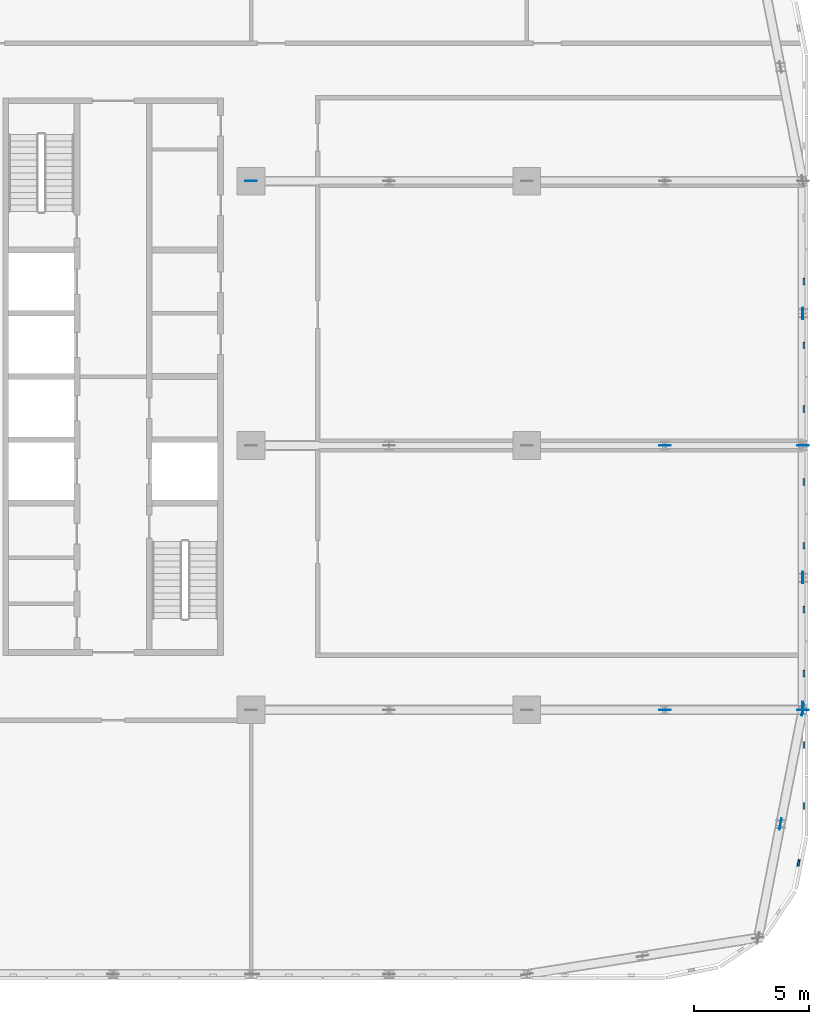
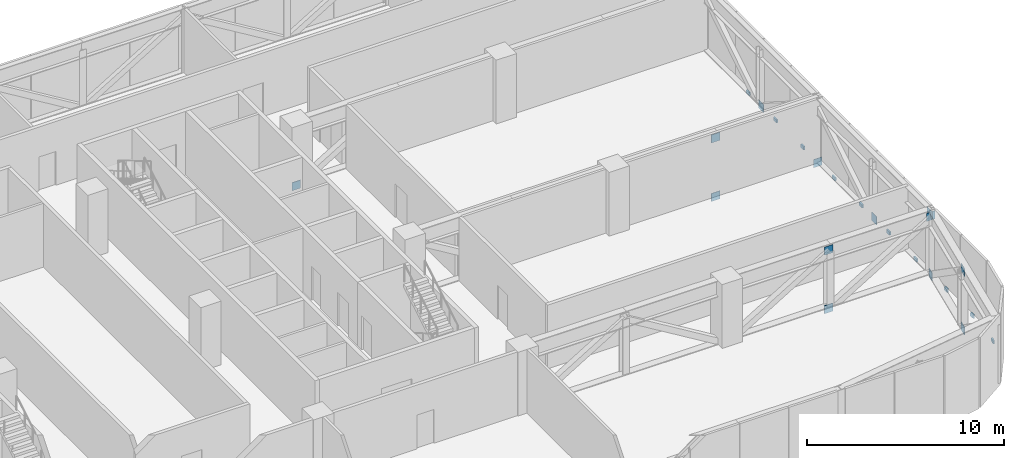
# One storey, part 19 of 26: 23 discrete accessories.
"""IFC4 building model written with IfcOpenShell, lengths in metres."""

import ifcopenshell
import ifcopenshell.guid

model = None  # the IFC model being written
_history = None  # IfcOwnerHistory: only IFC2X3 demands one
_inside = {}  # id of a spatial element -> (the spatial element, [elements in it])
_under = {}  # id of a project, library or spatial element -> (it, [spatial elements below it])
_declared = {}  # id of a project -> (the project, [libraries it declares])
_typed = {}  # id of a type object -> (the type object, [elements of that type])
_made_of = {}  # id of a material, layer set ... -> (it, [elements and type objects made of it])


def new_model(schema):
    """Start an empty IFC model of exactly this schema.

    Asked for "IFC4X3", IfcOpenShell would pick the latest addendum, in which some entities
    have other attributes; the version numbers below select the first issue.
    IFC2X3 requires an IfcOwnerHistory on every rooted entity: one is made here for all.
    """
    global model, _history
    if schema == "IFC4X3":
        model = ifcopenshell.file(schema_version=(4, 3, 0, 0))
    else:
        model = ifcopenshell.file(schema=schema)
    _inside.clear()
    _under.clear()
    _declared.clear()
    _typed.clear()
    _made_of.clear()
    _history = None
    if model.schema == "IFC2X3":
        org = make("IfcOrganization", Name="unknown")
        user = make(
            "IfcPersonAndOrganization",
            ThePerson=make("IfcPerson", FamilyName="unknown"),
            TheOrganization=org,
        )
        app = make(
            "IfcApplication",
            ApplicationDeveloper=org,
            Version="unknown",
            ApplicationFullName="unknown",
            ApplicationIdentifier="unknown",
        )
        _history = make(
            "IfcOwnerHistory",
            OwningUser=user,
            OwningApplication=app,
            ChangeAction="ADDED",
            CreationDate=0,
        )
    return model


def make(cls, **values):
    """One entity of the class cls with the attributes given. An attribute that is None is left unset."""
    return model.create_entity(
        cls, **{name: value for name, value in values.items() if value is not None}
    )


def rooted(cls, **values):
    """An entity with a GlobalId (a new one), such as an element, a storey or a relation."""
    return make(cls, GlobalId=ifcopenshell.guid.new(), OwnerHistory=_history, **values)


def si_unit(unit_type, name, prefix=None):
    """IfcSIUnit, for example si_unit("LENGTHUNIT", "METRE", prefix="MILLI")."""
    return make("IfcSIUnit", UnitType=unit_type, Prefix=prefix, Name=name)


def assignment(units):
    """IfcUnitAssignment: the units of a project."""
    return None if units is None else make("IfcUnitAssignment", Units=units)


def point(xyz):
    """IfcCartesianPoint."""
    return None if xyz is None else make("IfcCartesianPoint", Coordinates=xyz)


def direction(xyz):
    """IfcDirection."""
    return None if xyz is None else make("IfcDirection", DirectionRatios=xyz)


def frame(location, z_axis=None, x_axis=None):
    """IfcAxis2Placement3D, a coordinate frame: its origin and axes. An axis left out is left unset."""
    return make(
        "IfcAxis2Placement3D",
        Location=point(location),
        Axis=direction(z_axis),
        RefDirection=direction(x_axis),
    )


def frame_2d(location, x_axis=None):
    """IfcAxis2Placement2D, a coordinate frame in the plane: its origin and x axis."""
    return make(
        "IfcAxis2Placement2D", Location=point(location), RefDirection=direction(x_axis)
    )


def origin():
    """The frame at (0, 0, 0) with its axes left unset."""
    return frame((0.0, 0.0, 0.0))


def origin_2d():
    """The frame at (0, 0) in the plane with its x axis left unset."""
    return frame_2d((0.0, 0.0))


def place(relative_to, where):
    """IfcLocalPlacement: puts the frame where relative to a parent placement (None: the world)."""
    return make(
        "IfcLocalPlacement", PlacementRelTo=relative_to, RelativePlacement=where
    )


def context(
    kind, dimensions, precision=None, world=None, true_north=None, identifier=None
):
    """IfcGeometricRepresentationContext, for example the 3D "Model" context."""
    return make(
        "IfcGeometricRepresentationContext",
        ContextIdentifier=identifier,
        ContextType=kind,
        CoordinateSpaceDimension=dimensions,
        Precision=precision,
        WorldCoordinateSystem=world,
        TrueNorth=true_north,
    )


def subcontext(parent, identifier, kind, view, scale=None):
    """IfcGeometricRepresentationSubContext, for example "Body" below "Model"."""
    return make(
        "IfcGeometricRepresentationSubContext",
        ContextIdentifier=identifier,
        ContextType=kind,
        ParentContext=parent,
        TargetScale=scale,
        TargetView=view,
    )


def project(units=None, contexts=None):
    """IfcProject with its units and contexts."""
    return rooted(
        "IfcProject",
        Name="project",
        RepresentationContexts=contexts,
        UnitsInContext=assignment(units),
    )


def spatial(cls, under=None, at=None, **own):
    """A site, building, storey or space (cls), placed at a placement, below another one or the project."""
    s = rooted(cls, ObjectPlacement=at, **own)
    if under is not None:
        _under.setdefault(under.id(), (under, []))[1].append(s)
    return s


def profile(cls, at=None, kind="AREA", **sizes):
    """A parametric profile (cls). Its sizes go by their IFC names, for example OverallWidth=200.0."""
    return make(cls, ProfileType=kind, Position=at, **sizes)


def rectangle(**sizes):
    """IfcRectangleProfileDef."""
    return profile("IfcRectangleProfileDef", **sizes)


def extrude(swept, where, along, depth):
    """IfcExtrudedAreaSolid: the profile swept, set in the frame where, extruded along a direction by depth."""
    return make(
        "IfcExtrudedAreaSolid",
        SweptArea=swept,
        Position=where,
        ExtrudedDirection=direction(along),
        Depth=depth,
    )


def shape(context_of_items, identifier, shape_type, items):
    """IfcShapeRepresentation: the items that make up one representation, for example the "Body"."""
    return make(
        "IfcShapeRepresentation",
        ContextOfItems=context_of_items,
        RepresentationIdentifier=identifier,
        RepresentationType=shape_type,
        Items=items,
    )


def material(Name=None, Category=None):
    """IfcMaterial."""
    return make("IfcMaterial", Name=Name, Category=Category)


def layer(
    of_material, thickness, ventilated=None, Name=None, Category=None, Priority=None
):
    """IfcMaterialLayer: one layer of a wall or slab, of a material (None: an air gap)."""
    return make(
        "IfcMaterialLayer",
        Material=of_material,
        LayerThickness=thickness,
        IsVentilated=ventilated,
        Name=Name,
        Category=Category,
        Priority=Priority,
    )


def layer_set(layers, Name=None):
    """IfcMaterialLayerSet."""
    return make("IfcMaterialLayerSet", MaterialLayers=layers, LayerSetName=Name)


def made_of(thing, what):
    """Note that an element or type object is made of a material, layer set ...; save() writes the relation."""
    if what is not None:
        _made_of.setdefault(what.id(), (what, []))[1].append(thing)
    return thing


def type_object(cls, material=None, **own):
    """A type object (cls), such as IfcWallType, which elements share."""
    return made_of(rooted(cls, **own), material)


def element(
    cls,
    number,
    at=None,
    inside=None,
    cuts=None,
    type_object=None,
    material=None,
    context=None,
    identifier="Body",
    shape_type=None,
    held_by="IfcProductDefinitionShape",
    body=None,
    shapes=None,
    **own,
):
    """One element of the class cls, such as IfcWall. Its Tag is "e" and its number.

    at: its placement. inside: the storey or other place that contains it. cuts: it is an
    opening in that element (IfcRelVoidsElement). A single representation is given by context,
    identifier, shape_type and body (its items); several are given by shapes. held_by: the class
    of the entity that holds the representations. save() writes the other relations.
    """
    e = rooted(cls, Tag="e%d" % number, ObjectPlacement=at, **own)
    if body is not None:
        shapes = [shape(context, identifier, shape_type, body)]
    if shapes is not None:
        e.Representation = make(held_by, Representations=shapes)
    if inside is not None:
        _inside.setdefault(inside.id(), (inside, []))[1].append(e)
    if cuts is not None:
        rooted(
            "IfcRelVoidsElement", RelatingBuildingElement=cuts, RelatedOpeningElement=e
        )
    if type_object is not None:
        _typed.setdefault(type_object.id(), (type_object, []))[1].append(e)
    return made_of(e, material)


def aggregate(whole, parts):
    """IfcRelAggregates: a whole, such as a stair, and the parts it consists of."""
    return rooted("IfcRelAggregates", RelatingObject=whole, RelatedObjects=parts)


def save(model, path):
    """Write the relations noted so far, then the file.

    IfcRelAggregates (storeys below a building ...), IfcRelContainedInSpatialStructure (elements
    in a storey), IfcRelDefinesByType, IfcRelAssociatesMaterial and IfcRelDeclares: one each for
    every whole, place, type object, material and project.
    """
    for whole, parts in _under.values():
        aggregate(whole, parts)
    for where, things in _inside.values():
        rooted(
            "IfcRelContainedInSpatialStructure",
            RelatedElements=things,
            RelatingStructure=where,
        )
    for kind, things in _typed.values():
        rooted("IfcRelDefinesByType", RelatedObjects=things, RelatingType=kind)
    for what, things in _made_of.values():
        rooted("IfcRelAssociatesMaterial", RelatedObjects=things, RelatingMaterial=what)
    for by, libraries in _declared.values():
        rooted("IfcRelDeclares", RelatingContext=by, RelatedDefinitions=libraries)
    model.write(path)


model = new_model("IFC4")

# Units and contexts
model_context = context("Model", 3, precision=1e-05, world=origin(), true_north=direction((0.0, 1.0)))
body_context = subcontext(model_context, "Body", "Model", "MODEL_VIEW")
ifc_project = project(units=[si_unit("LENGTHUNIT", "METRE"), si_unit("AREAUNIT", "SQUARE_METRE"), si_unit("VOLUMEUNIT", "CUBIC_METRE"), si_unit("PLANEANGLEUNIT", "RADIAN"), si_unit("MASSUNIT", "GRAM", prefix="KILO")], contexts=[model_context])

# Site, building, storey
site_placement = place(None, origin())
site = spatial("IfcSite", under=ifc_project, at=site_placement, CompositionType="ELEMENT")
building_placement = place(site_placement, origin())
building = spatial("IfcBuilding", under=site, at=building_placement, Name="Mahtab Terrace Research Tower", CompositionType="ELEMENT")
storey_placement = place(building_placement, frame((0.0, 0.0, 189.60009765625)))
storey = spatial("IfcBuildingStorey", under=building, at=storey_placement, Name="L45", CompositionType="ELEMENT", Elevation=189.60009765625)

# Discrete accessories
ifc_material_1 = material(Name="Black anodised aluminium", Category="aluminium")
discrete_accessory_type_1 = type_object("IfcDiscreteAccessoryType", Name="Facade bracket", PredefinedType="BRACKET", material=ifc_material_1)
for number, where, z_axis, x_axis, name in (
    (1, (53.815673828125, -18.15673828125, -0.30029296875), (0.0, 0.0, 1.0), (0.195212442692, 0.980760981187, 0.0), "Louvre bracket L45 6"),
    (2, (54.044921875, -15.675048828125, -0.30029296875), (0.0, 0.0, 1.0), (0.0, 1.0, 0.0), "Louvre bracket L45 7"),
    (3, (54.044921875, -13.02490234375, -0.30029296875), (0.0, 0.0, 1.0), (0.0, 1.0, 0.0), "Louvre bracket L45 8"),
    (4, (54.044921875, -9.91259765625, -0.30029296875), (0.0, 0.0, 1.0), (0.0, 1.0, 0.0), "Louvre bracket L45 9"),
    (5, (54.044921875, -7.137451171875, -0.30029296875), (0.0, 0.0, 1.0), (0.0, 1.0, 0.0), "Louvre bracket L45 10"),
    (6, (54.044921875, -4.362548828125, -0.30029296875), (0.0, 0.0, 1.0), (0.0, 1.0, 0.0), "Louvre bracket L45 11"),
    (7, (54.044921875, -1.58740234375, -0.30029296875), (0.0, 0.0, 1.0), (0.0, 1.0, 0.0), "Louvre bracket L45 12"),
    (8, (54.044921875, 1.58740234375, -0.30029296875), (0.0, 0.0, 1.0), (0.0, 1.0, 0.0), "Louvre bracket L45 13"),
    (9, (54.044921875, 4.362548828125, -0.30029296875), (0.0, 0.0, 1.0), (0.0, 1.0, 0.0), "Louvre bracket L45 14"),
    (10, (54.044921875, 7.137451171875, -0.30029296875), (0.0, 0.0, 1.0), (0.0, 1.0, 0.0), "Louvre bracket L45 15"),
):
    element("IfcDiscreteAccessory", number, at=place(storey_placement, frame(where, z_axis=z_axis, x_axis=x_axis)), inside=storey, type_object=discrete_accessory_type_1, Name=name, PredefinedType="BRACKET", context=body_context, shape_type="SweptSolid", body=[
        extrude(rectangle(XDim=0.300048828125, YDim=0.090087890625, at=origin_2d()), origin(), (0.0, 0.0, 1.0), 0.199951171875),
    ])
ifc_material_2 = material(Name="Steel ASTM A992 Gr 50", Category="steel")
ifc_layer = layer(ifc_material_2, 0.030029296875)
ifc_layer_set = layer_set([ifc_layer], Name="Gusset plate 500x500x30")
discrete_accessory_type_2 = type_object("IfcDiscreteAccessoryType", Name="Gusset plate 500x500x30", PredefinedType="USERDEFINED", material=ifc_layer_set)
for number, where, z_axis, x_axis, name in (
    (11, (30.0, 11.5, -0.427978515625), (0.0, 0.0, 1.0), (1.0, 0.0, 0.0), "Gusset plate"),
    (12, (48.0, -11.5, -0.427978515625), (0.0, 0.0, 1.0), (1.0, 0.0, 0.0), "Gusset plate"),
    (13, (48.0, -11.5, 3.20947265625), (0.0, 0.0, 1.0), (1.0, 0.0, 0.0), "Gusset plate"),
    (14, (48.0, 0.0, -0.427978515625), (0.0, 0.0, 1.0), (1.0, 0.0, 0.0), "Gusset plate"),
    (15, (48.0, 0.0, 3.20947265625), (0.0, 0.0, 1.0), (1.0, 0.0, 0.0), "Gusset plate"),
    (16, (54.0, -11.5, 3.20947265625), (0.0, 0.0, 1.0), (1.0, 0.0, 0.0), "Gusset plate"),
    (17, (54.0, 0.0, -0.427978515625), (0.0, 0.0, 1.0), (1.0, 0.0, 0.0), "Gusset plate"),
    (18, (53.031005859375, -16.4580078125, -0.427978515625), (0.0, 0.0, 1.0), (0.19181971899, 0.981430178569, 0.0), "Gusset plate"),
    (19, (53.031005859375, -16.4580078125, 3.20947265625), (0.0, 0.0, 1.0), (0.19181971899, 0.981430178569, 0.0), "Gusset plate"),
    (20, (54.0, -11.5, -0.427978515625), (0.0, 0.0, 1.0), (0.19181971899, 0.981430178569, 0.0), "Gusset plate"),
    (21, (54.0, -11.400390625, 3.322998046875), (0.0, 0.0, 1.0), (0.0, 1.0, 0.0), "Gusset plate"),
    (22, (54.0, -5.75, -0.427978515625), (0.0, 0.0, 1.0), (0.0, 1.0, 0.0), "Gusset plate"),
    (23, (54.0, 5.75, -0.427978515625), (0.0, 0.0, 1.0), (0.0, 1.0, 0.0), "Gusset plate"),
):
    element("IfcDiscreteAccessory", number, at=place(storey_placement, frame(where, z_axis=z_axis, x_axis=x_axis)), inside=storey, type_object=discrete_accessory_type_2, Name=name, ObjectType="GUSSET PLATE", PredefinedType="USERDEFINED", context=body_context, shape_type="SweptSolid", body=[
        extrude(rectangle(XDim=0.5, YDim=0.030029296875, at=origin_2d()), origin(), (0.0, 0.0, 1.0), 0.5),
    ])

save(model, "model.ifc")
